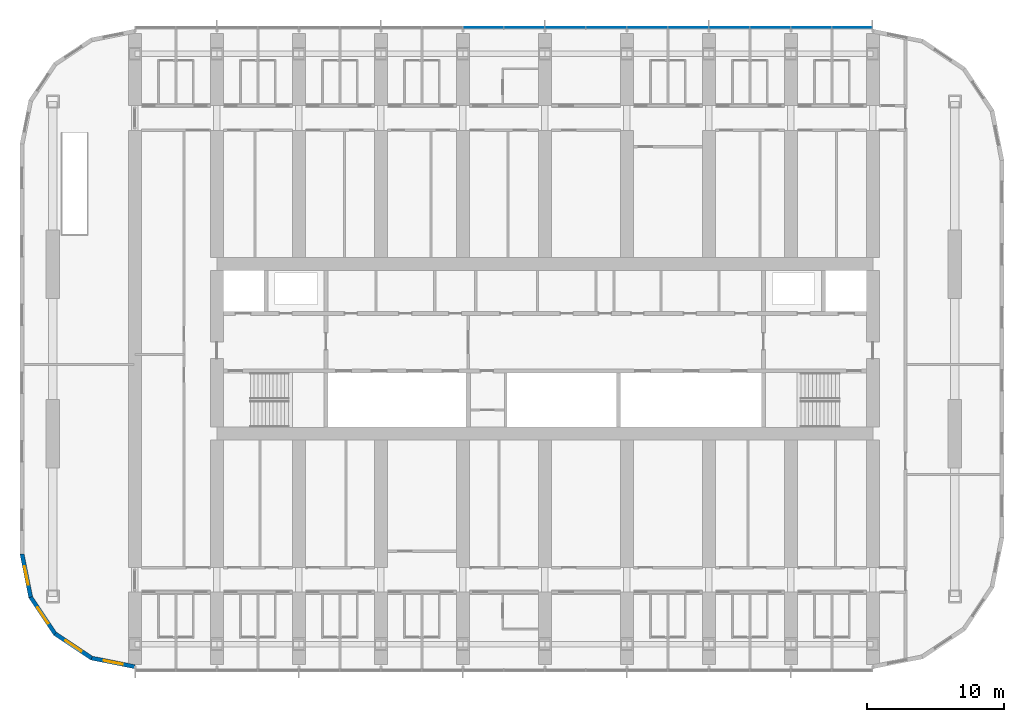
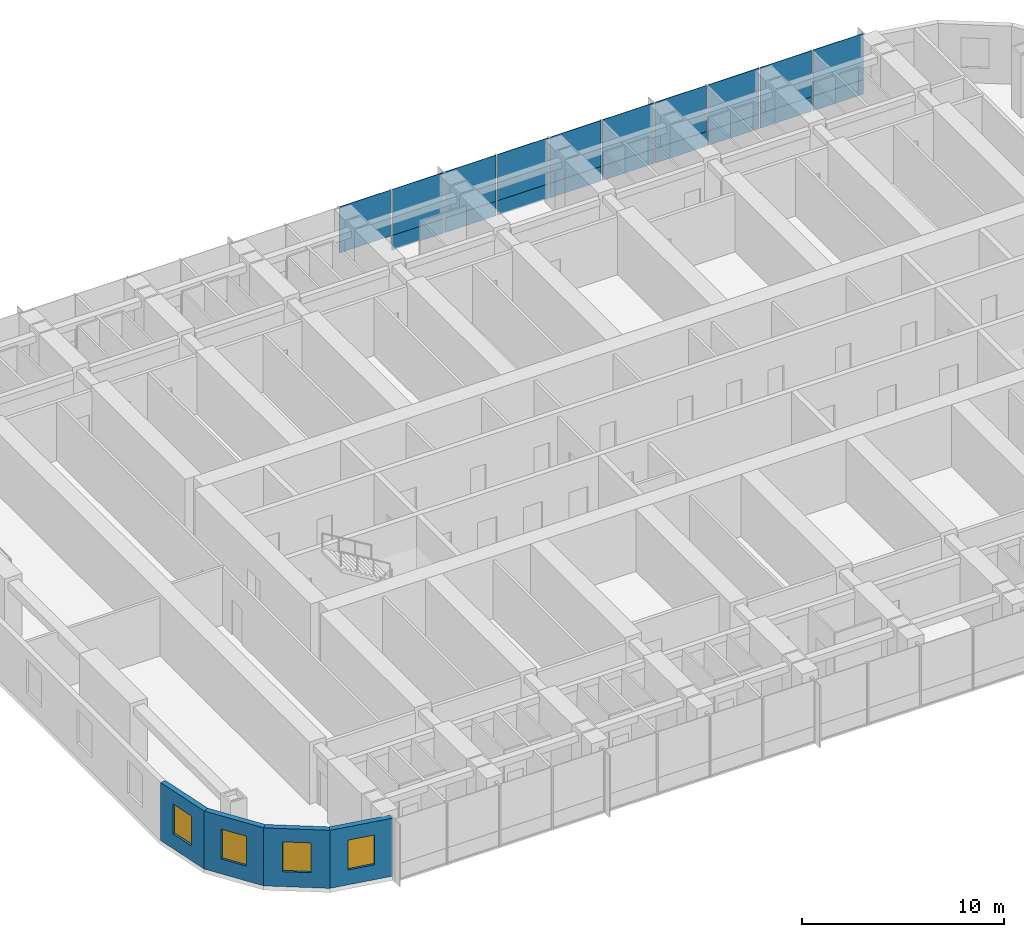
# One storey, part 7 of 22: 19 plates, 4 walls, 4 windows, 4 openings, 1 element without a shape of its own.
"""IFC4 building model written with IfcOpenShell, lengths in metres."""

from ifc_helpers import new_model, si_unit, direction, frame, frame_2d, origin, origin_2d, place, context, subcontext, project, spatial, polyline, rectangle, outline, extrude, material, layer, layer_set, type_object, element, fill, aggregate, save


model = new_model("IFC4")

# Units and contexts
model_context = context("Model", 3, precision=1e-05, world=origin(), true_north=direction((0.0, 1.0)))
body_context = subcontext(model_context, "Body", "Model", "MODEL_VIEW")
ifc_project = project(units=[si_unit("LENGTHUNIT", "METRE"), si_unit("AREAUNIT", "SQUARE_METRE"), si_unit("VOLUMEUNIT", "CUBIC_METRE"), si_unit("PLANEANGLEUNIT", "RADIAN"), si_unit("MASSUNIT", "GRAM", prefix="KILO")], contexts=[model_context])

# Site, building, storey
site_placement = place(None, origin())
site = spatial("IfcSite", under=ifc_project, at=site_placement, CompositionType="ELEMENT")
building_placement = place(site_placement, origin())
building = spatial("IfcBuilding", under=site, at=building_placement, Name="Orbita Commons", CompositionType="ELEMENT")
storey_placement = place(building_placement, frame((0.0, 0.0, 118.14990234375)))
storey = spatial("IfcBuildingStorey", under=building, at=storey_placement, Name="L29", CompositionType="ELEMENT", Elevation=118.14990234375)

# Curtain wall, plates
ifc_material_1 = material(Name="Anodised aluminium frame, pale silver", Category="aluminium")
curtain_wall_type = type_object("IfcCurtainWallType", Name="Unitised curtain wall CW-T, vision and spandrel", PredefinedType="NOTDEFINED", material=ifc_material_1)
curtain_wall_placement = place(storey_placement, origin())
curtain_wall = element("IfcCurtainWall", 1, at=curtain_wall_placement, inside=storey, type_object=curtain_wall_type, Name="Curtain wall north L29", PredefinedType="NOTDEFINED")
ifc_material_2 = material(Name="Anodised aluminium sheet on mineral wool", Category="aluminium")
ifc_layer_1 = layer(ifc_material_2, 0.050048828125)
ifc_layer_set_1 = layer_set([ifc_layer_1], Name="Anodised aluminium sheet on mineral wool")
plate_type_1 = type_object("IfcPlateType", Name="Spandrel panel, pale aluminium over insulation 50", PredefinedType="CURTAIN_PANEL", material=ifc_layer_set_1)
plate_1_placement = place(storey_placement, frame((64.47998046875, 55.510009765625, -0.14990234375), z_axis=(0.0, 0.0, 1.0), x_axis=(-1.0, 0.0, 0.0)))
plate_1 = element("IfcPlate", 2, at=plate_1_placement, type_object=plate_type_1, Name="Panel 1.1 CW-L29-N", PredefinedType="CURTAIN_PANEL", context=body_context, shape_type="SweptSolid", body=[
    extrude(rectangle(XDim=2.8798828125, YDim=0.050048828125, at=origin_2d()), origin(), (0.0, 0.0, 1.0), 0.875),
])
plate_2_placement = place(storey_placement, frame((61.5, 55.510009765625, -0.14990234375), z_axis=(0.0, 0.0, 1.0), x_axis=(-1.0, 0.0, 0.0)))
plate_2 = element("IfcPlate", 3, at=plate_2_placement, type_object=plate_type_1, Name="Panel 2.1 CW-L29-N", PredefinedType="CURTAIN_PANEL", context=body_context, shape_type="SweptSolid", body=[
    extrude(rectangle(XDim=2.919921875, YDim=0.050048828125, at=origin_2d()), origin(), (0.0, 0.0, 1.0), 0.875),
])
plate_3_placement = place(storey_placement, frame((58.5, 55.510009765625, -0.14990234375), z_axis=(0.0, 0.0, 1.0), x_axis=(-1.0, 0.0, 0.0)))
plate_3 = element("IfcPlate", 4, at=plate_3_placement, type_object=plate_type_1, Name="Panel 3.1 CW-L29-N", PredefinedType="CURTAIN_PANEL", context=body_context, shape_type="SweptSolid", body=[
    extrude(rectangle(XDim=2.919921875, YDim=0.050048828125, at=origin_2d()), origin(), (0.0, 0.0, 1.0), 0.875),
])
plate_4_placement = place(storey_placement, frame((55.5, 55.510009765625, -0.14990234375), z_axis=(0.0, 0.0, 1.0), x_axis=(-1.0, 0.0, 0.0)))
plate_4 = element("IfcPlate", 5, at=plate_4_placement, type_object=plate_type_1, Name="Panel 4.1 CW-L29-N", PredefinedType="CURTAIN_PANEL", context=body_context, shape_type="SweptSolid", body=[
    extrude(rectangle(XDim=2.919921875, YDim=0.050048828125, at=origin_2d()), origin(), (0.0, 0.0, 1.0), 0.875),
])
plate_5_placement = place(storey_placement, frame((52.5, 55.510009765625, -0.14990234375), z_axis=(0.0, 0.0, 1.0), x_axis=(-1.0, 0.0, 0.0)))
plate_5 = element("IfcPlate", 6, at=plate_5_placement, type_object=plate_type_1, Name="Panel 5.1 CW-L29-N", PredefinedType="CURTAIN_PANEL", context=body_context, shape_type="SweptSolid", body=[
    extrude(rectangle(XDim=2.919921875, YDim=0.050048828125, at=origin_2d()), origin(), (0.0, 0.0, 1.0), 0.875),
])
plate_6_placement = place(storey_placement, frame((49.5, 55.510009765625, -0.14990234375), z_axis=(0.0, 0.0, 1.0), x_axis=(-1.0, 0.0, 0.0)))
plate_6 = element("IfcPlate", 7, at=plate_6_placement, type_object=plate_type_1, Name="Panel 6.1 CW-L29-N", PredefinedType="CURTAIN_PANEL", context=body_context, shape_type="SweptSolid", body=[
    extrude(rectangle(XDim=2.919921875, YDim=0.050048828125, at=origin_2d()), origin(), (0.0, 0.0, 1.0), 0.875),
])
plate_7_placement = place(storey_placement, frame((46.5, 55.510009765625, -0.14990234375), z_axis=(0.0, 0.0, 1.0), x_axis=(-1.0, 0.0, 0.0)))
plate_7 = element("IfcPlate", 8, at=plate_7_placement, type_object=plate_type_1, Name="Panel 7.1 CW-L29-N", PredefinedType="CURTAIN_PANEL", context=body_context, shape_type="SweptSolid", body=[
    extrude(rectangle(XDim=2.919921875, YDim=0.050048828125, at=origin_2d()), origin(), (0.0, 0.0, 1.0), 0.875),
])
plate_8_placement = place(storey_placement, frame((43.5, 55.510009765625, -0.14990234375), z_axis=(0.0, 0.0, 1.0), x_axis=(-1.0, 0.0, 0.0)))
plate_8 = element("IfcPlate", 9, at=plate_8_placement, type_object=plate_type_1, Name="Panel 8.1 CW-L29-N", PredefinedType="CURTAIN_PANEL", context=body_context, shape_type="SweptSolid", body=[
    extrude(rectangle(XDim=2.919921875, YDim=0.050048828125, at=origin_2d()), origin(), (0.0, 0.0, 1.0), 0.875),
])
plate_9_placement = place(storey_placement, frame((40.5, 55.510009765625, -0.14990234375), z_axis=(0.0, 0.0, 1.0), x_axis=(-1.0, 0.0, 0.0)))
plate_9 = element("IfcPlate", 10, at=plate_9_placement, type_object=plate_type_1, Name="Panel 9.1 CW-L29-N", PredefinedType="CURTAIN_PANEL", context=body_context, shape_type="SweptSolid", body=[
    extrude(rectangle(XDim=2.919921875, YDim=0.050048828125, at=origin_2d()), origin(), (0.0, 0.0, 1.0), 0.875),
])
ifc_material_3 = material(Name="Clear double glazing", Category="glass")
ifc_layer_2 = layer(ifc_material_3, 0.031982421875)
ifc_layer_set_2 = layer_set([ifc_layer_2], Name="Clear double glazing")
plate_type_2 = type_object("IfcPlateType", Name="Vision panel, clear double glazing 32", PredefinedType="CURTAIN_PANEL", material=ifc_layer_set_2)
plate_10_placement = place(storey_placement, frame((64.47998046875, 55.510009765625, 0.72509765625), z_axis=(0.0, 0.0, 1.0), x_axis=(-1.0, 0.0, 0.0)))
plate_10 = element("IfcPlate", 11, at=plate_10_placement, type_object=plate_type_2, Name="Panel 1.2 CW-L29-N", PredefinedType="CURTAIN_PANEL", context=body_context, shape_type="SweptSolid", body=[
    extrude(rectangle(XDim=2.8798828125, YDim=0.031982421875, at=origin_2d()), origin(), (0.0, 0.0, 1.0), 2.77490234375),
])
plate_11_placement = place(storey_placement, frame((61.5, 55.510009765625, 0.72509765625), z_axis=(0.0, 0.0, 1.0), x_axis=(-1.0, 0.0, 0.0)))
plate_11 = element("IfcPlate", 12, at=plate_11_placement, type_object=plate_type_2, Name="Panel 2.2 CW-L29-N", PredefinedType="CURTAIN_PANEL", context=body_context, shape_type="SweptSolid", body=[
    extrude(rectangle(XDim=2.919921875, YDim=0.031982421875, at=origin_2d()), origin(), (0.0, 0.0, 1.0), 2.77490234375),
])
plate_12_placement = place(storey_placement, frame((58.5, 55.510009765625, 0.72509765625), z_axis=(0.0, 0.0, 1.0), x_axis=(-1.0, 0.0, 0.0)))
plate_12 = element("IfcPlate", 13, at=plate_12_placement, type_object=plate_type_2, Name="Panel 3.2 CW-L29-N", PredefinedType="CURTAIN_PANEL", context=body_context, shape_type="SweptSolid", body=[
    extrude(rectangle(XDim=2.919921875, YDim=0.031982421875, at=origin_2d()), origin(), (0.0, 0.0, 1.0), 2.77490234375),
])
plate_13_placement = place(storey_placement, frame((55.5, 55.510009765625, 0.72509765625), z_axis=(0.0, 0.0, 1.0), x_axis=(-1.0, 0.0, 0.0)))
plate_13 = element("IfcPlate", 14, at=plate_13_placement, type_object=plate_type_2, Name="Panel 4.2 CW-L29-N", PredefinedType="CURTAIN_PANEL", context=body_context, shape_type="SweptSolid", body=[
    extrude(rectangle(XDim=2.919921875, YDim=0.031982421875, at=origin_2d()), origin(), (0.0, 0.0, 1.0), 2.77490234375),
])
plate_14_placement = place(storey_placement, frame((52.5, 55.510009765625, 0.72509765625), z_axis=(0.0, 0.0, 1.0), x_axis=(-1.0, 0.0, 0.0)))
plate_14 = element("IfcPlate", 15, at=plate_14_placement, type_object=plate_type_2, Name="Panel 5.2 CW-L29-N", PredefinedType="CURTAIN_PANEL", context=body_context, shape_type="SweptSolid", body=[
    extrude(rectangle(XDim=2.919921875, YDim=0.031982421875, at=origin_2d()), origin(), (0.0, 0.0, 1.0), 2.77490234375),
])
plate_15_placement = place(storey_placement, frame((49.5, 55.510009765625, 0.72509765625), z_axis=(0.0, 0.0, 1.0), x_axis=(-1.0, 0.0, 0.0)))
plate_15 = element("IfcPlate", 16, at=plate_15_placement, type_object=plate_type_2, Name="Panel 6.2 CW-L29-N", PredefinedType="CURTAIN_PANEL", context=body_context, shape_type="SweptSolid", body=[
    extrude(rectangle(XDim=2.919921875, YDim=0.031982421875, at=origin_2d()), origin(), (0.0, 0.0, 1.0), 2.77490234375),
])
plate_16_placement = place(storey_placement, frame((46.5, 55.510009765625, 0.72509765625), z_axis=(0.0, 0.0, 1.0), x_axis=(-1.0, 0.0, 0.0)))
plate_16 = element("IfcPlate", 17, at=plate_16_placement, type_object=plate_type_2, Name="Panel 7.2 CW-L29-N", PredefinedType="CURTAIN_PANEL", context=body_context, shape_type="SweptSolid", body=[
    extrude(rectangle(XDim=2.919921875, YDim=0.031982421875, at=origin_2d()), origin(), (0.0, 0.0, 1.0), 2.77490234375),
])
plate_17_placement = place(storey_placement, frame((43.5, 55.510009765625, 0.72509765625), z_axis=(0.0, 0.0, 1.0), x_axis=(-1.0, 0.0, 0.0)))
plate_17 = element("IfcPlate", 18, at=plate_17_placement, type_object=plate_type_2, Name="Panel 8.2 CW-L29-N", PredefinedType="CURTAIN_PANEL", context=body_context, shape_type="SweptSolid", body=[
    extrude(rectangle(XDim=2.919921875, YDim=0.031982421875, at=origin_2d()), origin(), (0.0, 0.0, 1.0), 2.77490234375),
])
plate_18_placement = place(storey_placement, frame((40.5, 55.510009765625, 0.72509765625), z_axis=(0.0, 0.0, 1.0), x_axis=(-1.0, 0.0, 0.0)))
plate_18 = element("IfcPlate", 19, at=plate_18_placement, type_object=plate_type_2, Name="Panel 9.2 CW-L29-N", PredefinedType="CURTAIN_PANEL", context=body_context, shape_type="SweptSolid", body=[
    extrude(rectangle(XDim=2.919921875, YDim=0.031982421875, at=origin_2d()), origin(), (0.0, 0.0, 1.0), 2.77490234375),
])
plate_19_placement = place(storey_placement, frame((37.5, 55.510009765625, 0.72509765625), z_axis=(0.0, 0.0, 1.0), x_axis=(-1.0, 0.0, 0.0)))
plate_19 = element("IfcPlate", 20, at=plate_19_placement, type_object=plate_type_2, Name="Panel 10.2 CW-L29-N", PredefinedType="CURTAIN_PANEL", context=body_context, shape_type="SweptSolid", body=[
    extrude(rectangle(XDim=2.919921875, YDim=0.031982421875, at=origin_2d()), origin(), (0.0, 0.0, 1.0), 2.77490234375),
])
aggregate(curtain_wall, [plate_1, plate_10, plate_2, plate_11, plate_3, plate_12, plate_4, plate_13, plate_5, plate_14, plate_6, plate_15, plate_7, plate_16, plate_8, plate_17, plate_9, plate_18, plate_19])

# Wall, opening, window
ifc_material_4 = material(Name="Precast concrete C40/50, white board-marked finish", Category="concrete")
ifc_layer_3 = layer(ifc_material_4, 0.300048828125)
ifc_layer_set_3 = layer_set([ifc_layer_3], Name="Precast concrete C40/50, white board-marked finish")
wall_type = type_object("IfcWallType", Name="Precast concrete end shield 300", PredefinedType="SOLIDWALL", material=ifc_layer_set_3)
wall_1_placement = place(storey_placement, frame((3.75, 17.0, 0.0), z_axis=(0.0, 0.0, 1.0), x_axis=(0.195080412259, -0.980787251524, 0.0)))
wall_1 = element("IfcWall", 21, at=wall_1_placement, inside=storey, type_object=wall_type, Name="End shield SW chord 1 L29", PredefinedType="SOLIDWALL", context=body_context, shape_type="SweptSolid", body=[
    extrude(outline(polyline([(-0.014892578125, -0.14990234375), (3.24853515625, -0.14990234375), (3.18896484375, 0.14990234375), (0.014892578125, 0.14990234375), (-0.014892578125, -0.14990234375)])), origin(), (0.0, 0.0, 1.0), 3.5),
])
opening_1_placement = place(wall_1_placement, frame((0.909423828125, 0.0, 0.89990234375)))
opening_1 = element("IfcOpeningElement", 22, at=opening_1_placement, cuts=wall_1, Name="Opening W02", PredefinedType="OPENING", context=body_context, shape_type="SweptSolid", body=[
    extrude(rectangle(XDim=1.39990234375, YDim=1.800048828125, at=frame_2d((0.699951171875, 0.89990234375))), frame((0.0, 0.159912109375, 0.0), z_axis=(0.0, -1.0, 0.0), x_axis=(1.0, 0.0, 0.0)), (0.0, 0.0, 1.0), 0.320068359375),
])
ifc_material_5 = material(Name="Aluminium frame, clear double glazing", Category="aluminium")
window_type = type_object("IfcWindowType", Name="Deep-set window 1400x1800", PartitioningType="SINGLE_PANEL", PredefinedType="WINDOW", material=ifc_material_5)
window_1_placement = place(opening_1_placement, origin())
window_1 = element("IfcWindow", 23, at=window_1_placement, inside=storey, type_object=window_type, Name="Window L29-SW0", OverallHeight=1.800048828125, OverallWidth=1.39990234375, PartitioningType="SINGLE_PANEL", PredefinedType="WINDOW", context=body_context, shape_type="SweptSolid", body=[
    extrude(rectangle(XDim=1.39990234375, YDim=1.800048828125, at=frame_2d((0.699951171875, 0.89990234375))), frame((0.0, 0.030029296875, 0.0), z_axis=(0.0, -1.0, 0.0), x_axis=(1.0, 0.0, 0.0)), (0.0, 0.0, 1.0), 0.06005859375),
])
fill(opening_1, window_1)

wall_2_placement = place(storey_placement, frame((4.3779296875, 13.843017578125, 0.0), z_axis=(0.0, 0.0, 1.0), x_axis=(0.555609954424, -0.831443069936, 0.0)))
wall_2 = element("IfcWall", 24, at=wall_2_placement, inside=storey, type_object=wall_type, Name="End shield SW chord 2 L29", PredefinedType="SOLIDWALL", context=body_context, shape_type="SweptSolid", body=[
    extrude(outline(polyline([(-0.02978515625, -0.14990234375), (3.2490234375, -0.14990234375), (3.189453125, 0.14990234375), (0.02978515625, 0.14990234375), (-0.02978515625, -0.14990234375)])), origin(), (0.0, 0.0, 1.0), 3.5),
])
opening_2_placement = place(wall_2_placement, frame((0.909423828125, 0.0, 0.89990234375)))
opening_2 = element("IfcOpeningElement", 25, at=opening_2_placement, cuts=wall_2, Name="Opening W02", PredefinedType="OPENING", context=body_context, shape_type="SweptSolid", body=[
    extrude(rectangle(XDim=1.39990234375, YDim=1.800048828125, at=frame_2d((0.699951171875, 0.89990234375))), frame((0.0, 0.159912109375, 0.0), z_axis=(0.0, -1.0, 0.0), x_axis=(1.0, 0.0, 0.0)), (0.0, 0.0, 1.0), 0.320068359375),
])
window_2_placement = place(opening_2_placement, origin())
window_2 = element("IfcWindow", 26, at=window_2_placement, inside=storey, type_object=window_type, Name="Window L29-SW1", OverallHeight=1.800048828125, OverallWidth=1.39990234375, PartitioningType="SINGLE_PANEL", PredefinedType="WINDOW", context=body_context, shape_type="SweptSolid", body=[
    extrude(rectangle(XDim=1.39990234375, YDim=1.800048828125, at=frame_2d((0.699951171875, 0.89990234375))), frame((0.0, 0.030029296875, 0.0), z_axis=(0.0, -1.0, 0.0), x_axis=(1.0, 0.0, 0.0)), (0.0, 0.0, 1.0), 0.06005859375),
])
fill(opening_2, window_2)

wall_3_placement = place(storey_placement, frame((6.16650390625, 11.16650390625, 0.0), z_axis=(0.0, 0.0, 1.0), x_axis=(0.831443069936, -0.555609954424, 0.0)))
wall_3 = element("IfcWall", 27, at=wall_3_placement, inside=storey, type_object=wall_type, Name="End shield SW chord 3 L29", PredefinedType="SOLIDWALL", context=body_context, shape_type="SweptSolid", body=[
    extrude(outline(polyline([(-0.02978515625, -0.14990234375), (3.2490234375, -0.14990234375), (3.189453125, 0.14990234375), (0.02978515625, 0.14990234375), (-0.02978515625, -0.14990234375)])), origin(), (0.0, 0.0, 1.0), 3.5),
])
opening_3_placement = place(wall_3_placement, frame((0.909423828125, 0.0, 0.89990234375)))
opening_3 = element("IfcOpeningElement", 28, at=opening_3_placement, cuts=wall_3, Name="Opening W02", PredefinedType="OPENING", context=body_context, shape_type="SweptSolid", body=[
    extrude(rectangle(XDim=1.39990234375, YDim=1.800048828125, at=frame_2d((0.699951171875, 0.89990234375))), frame((0.0, 0.159912109375, 0.0), z_axis=(0.0, -1.0, 0.0), x_axis=(1.0, 0.0, 0.0)), (0.0, 0.0, 1.0), 0.320068359375),
])
window_3_placement = place(opening_3_placement, origin())
window_3 = element("IfcWindow", 29, at=window_3_placement, inside=storey, type_object=window_type, Name="Window L29-SW2", OverallHeight=1.800048828125, OverallWidth=1.39990234375, PartitioningType="SINGLE_PANEL", PredefinedType="WINDOW", context=body_context, shape_type="SweptSolid", body=[
    extrude(rectangle(XDim=1.39990234375, YDim=1.800048828125, at=frame_2d((0.699951171875, 0.89990234375))), frame((0.0, 0.030029296875, 0.0), z_axis=(0.0, -1.0, 0.0), x_axis=(1.0, 0.0, 0.0)), (0.0, 0.0, 1.0), 0.06005859375),
])
fill(opening_3, window_3)

wall_4_placement = place(storey_placement, frame((8.843017578125, 9.3779296875, 0.0), z_axis=(0.0, 0.0, 1.0), x_axis=(0.980787251524, -0.195080412259, 0.0)))
wall_4 = element("IfcWall", 30, at=wall_4_placement, inside=storey, type_object=wall_type, Name="End shield SW chord 4 L29", PredefinedType="SOLIDWALL", context=body_context, shape_type="SweptSolid", body=[
    extrude(outline(polyline([(-0.02978515625, -0.14990234375), (3.24853515625, -0.14990234375), (3.18896484375, 0.14990234375), (0.02978515625, 0.14990234375), (-0.02978515625, -0.14990234375)])), origin(), (0.0, 0.0, 1.0), 3.5),
])
opening_4_placement = place(wall_4_placement, frame((0.909423828125, 0.0, 0.89990234375)))
opening_4 = element("IfcOpeningElement", 31, at=opening_4_placement, cuts=wall_4, Name="Opening W02", PredefinedType="OPENING", context=body_context, shape_type="SweptSolid", body=[
    extrude(rectangle(XDim=1.39990234375, YDim=1.800048828125, at=frame_2d((0.699951171875, 0.89990234375))), frame((0.0, 0.159912109375, 0.0), z_axis=(0.0, -1.0, 0.0), x_axis=(1.0, 0.0, 0.0)), (0.0, 0.0, 1.0), 0.320068359375),
])
window_4_placement = place(opening_4_placement, origin())
window_4 = element("IfcWindow", 32, at=window_4_placement, inside=storey, type_object=window_type, Name="Window L29-SW3", OverallHeight=1.800048828125, OverallWidth=1.39990234375, PartitioningType="SINGLE_PANEL", PredefinedType="WINDOW", context=body_context, shape_type="SweptSolid", body=[
    extrude(rectangle(XDim=1.39990234375, YDim=1.800048828125, at=frame_2d((0.699951171875, 0.89990234375))), frame((0.0, 0.030029296875, 0.0), z_axis=(0.0, -1.0, 0.0), x_axis=(1.0, 0.0, 0.0)), (0.0, 0.0, 1.0), 0.06005859375),
])
fill(opening_4, window_4)

save(model, "model.ifc")
